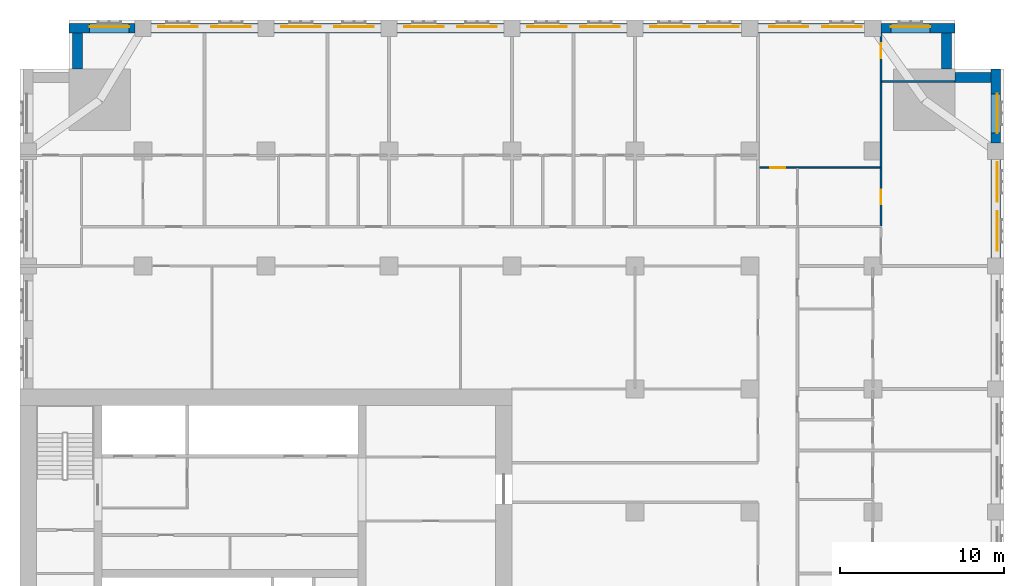
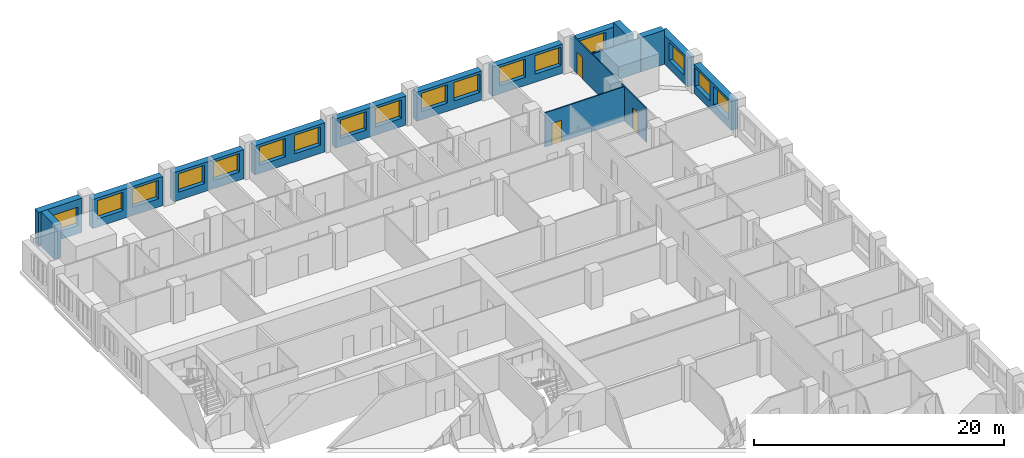
# One storey, part 11 of 14: 17 windows, 16 walls, 3 doors, 20 openings.
"""IFC4 building model written with IfcOpenShell, lengths in metres."""

from ifc_helpers import new_model, si_unit, direction, frame, frame_2d, origin, place, context, subcontext, project, spatial, rectangle, extrude, material, layer, layer_set, type_object, element, fill, save


model = new_model("IFC4")

# Units and contexts
model_context = context("Model", 3, precision=1e-05, world=origin(), true_north=direction((0.0, 1.0)))
body_context = subcontext(model_context, "Body", "Model", "MODEL_VIEW")
ifc_project = project(units=[si_unit("LENGTHUNIT", "METRE"), si_unit("AREAUNIT", "SQUARE_METRE"), si_unit("VOLUMEUNIT", "CUBIC_METRE"), si_unit("PLANEANGLEUNIT", "RADIAN"), si_unit("MASSUNIT", "GRAM", prefix="KILO")], contexts=[model_context])

# Site, building, storey
site_placement = place(None, origin())
site = spatial("IfcSite", under=ifc_project, at=site_placement, CompositionType="ELEMENT")
building_placement = place(site_placement, origin())
building = spatial("IfcBuilding", under=site, at=building_placement, Name="Tamorin Gate", CompositionType="ELEMENT")
storey_placement = place(building_placement, frame((0.0, 0.0, 93.5)))
storey = spatial("IfcBuildingStorey", under=building, at=storey_placement, Name="L22", CompositionType="ELEMENT", Elevation=93.5)

# Wall, openings, windows
ifc_material_1 = material(Name="Precast concrete C40/50", Category="concrete")
ifc_layer_1 = layer(ifc_material_1, 0.60009765625)
ifc_layer_set_1 = layer_set([ifc_layer_1], Name="Precast concrete C40/50")
wall_type_1 = type_object("IfcWallType", Name="Board-marked concrete facade panel 600", PredefinedType="SOLIDWALL", material=ifc_layer_set_1)
wall_1_placement = place(storey_placement, frame((89.5, 90.5, 0.0), z_axis=(0.0, 0.0, 1.0), x_axis=(0.0, 1.0, 0.0)))
wall_1 = element("IfcWall", 1, at=wall_1_placement, inside=storey, type_object=wall_type_1, Name="Facade panel", PredefinedType="SOLIDWALL", context=body_context, shape_type="SweptSolid", body=[
    extrude(rectangle(XDim=6.0, YDim=0.60009765625, at=frame_2d((3.0, 0.0))), origin(), (0.0, 0.0, 1.0), 2.85009765625),
])
opening_1_placement = place(wall_1_placement, frame((0.425048828125, 0.0, 0.800048828125)))
opening_1 = element("IfcOpeningElement", 2, at=opening_1_placement, cuts=wall_1, Name="Opening WN1", PredefinedType="OPENING", context=body_context, shape_type="SweptSolid", body=[
    extrude(rectangle(XDim=2.39990234375, YDim=1.800048828125, at=frame_2d((1.199951171875, 0.89990234375))), frame((0.0, 0.31005859375, 0.0), z_axis=(0.0, -1.0, 0.0), x_axis=(1.0, 0.0, 0.0)), (0.0, 0.0, 1.0), 0.6201171875),
])
opening_2_placement = place(wall_1_placement, frame((3.425048828125, 0.0, 0.800048828125)))
opening_2 = element("IfcOpeningElement", 3, at=opening_2_placement, cuts=wall_1, Name="Opening WN1", PredefinedType="OPENING", context=body_context, shape_type="SweptSolid", body=[
    extrude(rectangle(XDim=2.39990234375, YDim=1.800048828125, at=frame_2d((1.199951171875, 0.89990234375))), frame((0.0, 0.31005859375, 0.0), z_axis=(0.0, -1.0, 0.0), x_axis=(1.0, 0.0, 0.0)), (0.0, 0.0, 1.0), 0.6201171875),
])
ifc_material_2 = material(Name="Clear glass in aluminium frame", Category="aluminium")
window_type = type_object("IfcWindowType", Name="Deep-set window 2400x1800", PartitioningType="SINGLE_PANEL", PredefinedType="WINDOW", material=ifc_material_2)
window_1_placement = place(opening_1_placement, origin())
window_1 = element("IfcWindow", 4, at=window_1_placement, inside=storey, type_object=window_type, Name="Deep-set window", OverallHeight=1.800048828125, OverallWidth=2.39990234375, PartitioningType="SINGLE_PANEL", PredefinedType="WINDOW", context=body_context, shape_type="SweptSolid", body=[
    extrude(rectangle(XDim=2.39990234375, YDim=1.800048828125, at=frame_2d((1.199951171875, 0.89990234375))), frame((0.0, -0.070068359375, 0.0), z_axis=(0.0, -1.0, 0.0), x_axis=(1.0, 0.0, 0.0)), (0.0, 0.0, 1.0), 0.06005859375),
])
fill(opening_1, window_1)
window_2_placement = place(opening_2_placement, origin())
window_2 = element("IfcWindow", 5, at=window_2_placement, inside=storey, type_object=window_type, Name="Deep-set window", OverallHeight=1.800048828125, OverallWidth=2.39990234375, PartitioningType="SINGLE_PANEL", PredefinedType="WINDOW", context=body_context, shape_type="SweptSolid", body=[
    extrude(rectangle(XDim=2.39990234375, YDim=1.800048828125, at=frame_2d((1.199951171875, 0.89990234375))), frame((0.0, -0.070068359375, 0.0), z_axis=(0.0, -1.0, 0.0), x_axis=(1.0, 0.0, 0.0)), (0.0, 0.0, 1.0), 0.06005859375),
])
fill(opening_2, window_2)

# Wall, opening, window
wall_2_placement = place(storey_placement, frame((89.5, 97.5, 0.0), z_axis=(0.0, 0.0, 1.0), x_axis=(0.0, 1.0, 0.0)))
wall_2 = element("IfcWall", 6, at=wall_2_placement, inside=storey, type_object=wall_type_1, Name="Facade panel", PredefinedType="SOLIDWALL", context=body_context, shape_type="SweptSolid", body=[
    extrude(rectangle(XDim=4.5, YDim=0.60009765625, at=frame_2d((2.25, 0.0))), origin(), (0.0, 0.0, 1.0), 2.85009765625),
])
opening_3_placement = place(wall_2_placement, frame((0.60009765625, 0.0, 0.800048828125)))
opening_3 = element("IfcOpeningElement", 7, at=opening_3_placement, cuts=wall_2, Name="Opening WN1", PredefinedType="OPENING", context=body_context, shape_type="SweptSolid", body=[
    extrude(rectangle(XDim=2.39990234375, YDim=1.800048828125, at=frame_2d((1.199951171875, 0.89990234375))), frame((0.0, 0.31005859375, 0.0), z_axis=(0.0, -1.0, 0.0), x_axis=(1.0, 0.0, 0.0)), (0.0, 0.0, 1.0), 0.6201171875),
])
window_3_placement = place(opening_3_placement, origin())
window_3 = element("IfcWindow", 8, at=window_3_placement, inside=storey, type_object=window_type, Name="Deep-set window", OverallHeight=1.800048828125, OverallWidth=2.39990234375, PartitioningType="SINGLE_PANEL", PredefinedType="WINDOW", context=body_context, shape_type="SweptSolid", body=[
    extrude(rectangle(XDim=2.39990234375, YDim=1.800048828125, at=frame_2d((1.199951171875, 0.89990234375))), frame((0.0, -0.070068359375, 0.0), z_axis=(0.0, -1.0, 0.0), x_axis=(1.0, 0.0, 0.0)), (0.0, 0.0, 1.0), 0.06005859375),
])
fill(opening_3, window_3)

# Walls
for number, where, z_axis, x_axis, name in (
    (9, (89.199951171875, 101.5, 0.0), (0.0, 0.0, 1.0), (-1.0, 0.0, 0.0), "Facade panel"),
    (10, (86.5, 102.0, 0.0), (0.0, 0.0, 1.0), (0.0, 1.0, 0.0), "Facade panel"),
):
    element("IfcWall", number, at=place(storey_placement, frame(where, z_axis=z_axis, x_axis=x_axis)), inside=storey, type_object=wall_type_1, Name=name, PredefinedType="SOLIDWALL", context=body_context, shape_type="SweptSolid", body=[
        extrude(rectangle(XDim=2.199951171875, YDim=0.60009765625, at=frame_2d((1.10009765625, 0.0))), origin(), (0.0, 0.0, 1.0), 3.35009765625),
    ])

# Wall, opening, window
wall_3_placement = place(storey_placement, frame((87.0, 104.5, 0.0), z_axis=(0.0, 0.0, 1.0), x_axis=(-1.0, 0.0, 0.0)))
wall_3 = element("IfcWall", 11, at=wall_3_placement, inside=storey, type_object=wall_type_1, Name="Facade panel", PredefinedType="SOLIDWALL", context=body_context, shape_type="SweptSolid", body=[
    extrude(rectangle(XDim=4.5, YDim=0.60009765625, at=frame_2d((2.25, 0.0))), origin(), (0.0, 0.0, 1.0), 2.85009765625),
])
opening_4_placement = place(wall_3_placement, frame((1.5, 0.0, 0.800048828125)))
opening_4 = element("IfcOpeningElement", 12, at=opening_4_placement, cuts=wall_3, Name="Opening WN1", PredefinedType="OPENING", context=body_context, shape_type="SweptSolid", body=[
    extrude(rectangle(XDim=2.39990234375, YDim=1.800048828125, at=frame_2d((1.199951171875, 0.89990234375))), frame((0.0, 0.31005859375, 0.0), z_axis=(0.0, -1.0, 0.0), x_axis=(1.0, 0.0, 0.0)), (0.0, 0.0, 1.0), 0.6201171875),
])
window_4_placement = place(opening_4_placement, origin())
window_4 = element("IfcWindow", 13, at=window_4_placement, inside=storey, type_object=window_type, Name="Deep-set window", OverallHeight=1.800048828125, OverallWidth=2.39990234375, PartitioningType="SINGLE_PANEL", PredefinedType="WINDOW", context=body_context, shape_type="SweptSolid", body=[
    extrude(rectangle(XDim=2.39990234375, YDim=1.800048828125, at=frame_2d((1.199951171875, 0.89990234375))), frame((0.0, -0.070068359375, 0.0), z_axis=(0.0, -1.0, 0.0), x_axis=(1.0, 0.0, 0.0)), (0.0, 0.0, 1.0), 0.06005859375),
])
fill(opening_4, window_4)

# Wall, openings, windows
wall_4_placement = place(storey_placement, frame((81.5, 104.5, 0.0), z_axis=(0.0, 0.0, 1.0), x_axis=(-1.0, 0.0, 0.0)))
wall_4 = element("IfcWall", 14, at=wall_4_placement, inside=storey, type_object=wall_type_1, Name="Facade panel", PredefinedType="SOLIDWALL", context=body_context, shape_type="SweptSolid", body=[
    extrude(rectangle(XDim=6.5, YDim=0.60009765625, at=frame_2d((3.25, 0.0))), origin(), (0.0, 0.0, 1.0), 2.85009765625),
])
opening_5_placement = place(wall_4_placement, frame((3.425048828125, 0.0, 0.800048828125)))
opening_5 = element("IfcOpeningElement", 15, at=opening_5_placement, cuts=wall_4, Name="Opening WN1", PredefinedType="OPENING", context=body_context, shape_type="SweptSolid", body=[
    extrude(rectangle(XDim=2.39990234375, YDim=1.800048828125, at=frame_2d((1.199951171875, 0.89990234375))), frame((0.0, 0.31005859375, 0.0), z_axis=(0.0, -1.0, 0.0), x_axis=(1.0, 0.0, 0.0)), (0.0, 0.0, 1.0), 0.6201171875),
])
opening_6_placement = place(wall_4_placement, frame((0.175048828125, 0.0, 0.800048828125)))
opening_6 = element("IfcOpeningElement", 16, at=opening_6_placement, cuts=wall_4, Name="Opening WN1", PredefinedType="OPENING", context=body_context, shape_type="SweptSolid", body=[
    extrude(rectangle(XDim=2.39990234375, YDim=1.800048828125, at=frame_2d((1.199951171875, 0.89990234375))), frame((0.0, 0.31005859375, 0.0), z_axis=(0.0, -1.0, 0.0), x_axis=(1.0, 0.0, 0.0)), (0.0, 0.0, 1.0), 0.6201171875),
])
window_5_placement = place(opening_5_placement, origin())
window_5 = element("IfcWindow", 17, at=window_5_placement, inside=storey, type_object=window_type, Name="Deep-set window", OverallHeight=1.800048828125, OverallWidth=2.39990234375, PartitioningType="SINGLE_PANEL", PredefinedType="WINDOW", context=body_context, shape_type="SweptSolid", body=[
    extrude(rectangle(XDim=2.39990234375, YDim=1.800048828125, at=frame_2d((1.199951171875, 0.89990234375))), frame((0.0, -0.070068359375, 0.0), z_axis=(0.0, -1.0, 0.0), x_axis=(1.0, 0.0, 0.0)), (0.0, 0.0, 1.0), 0.06005859375),
])
fill(opening_5, window_5)
window_6_placement = place(opening_6_placement, origin())
window_6 = element("IfcWindow", 18, at=window_6_placement, inside=storey, type_object=window_type, Name="Deep-set window", OverallHeight=1.800048828125, OverallWidth=2.39990234375, PartitioningType="SINGLE_PANEL", PredefinedType="WINDOW", context=body_context, shape_type="SweptSolid", body=[
    extrude(rectangle(XDim=2.39990234375, YDim=1.800048828125, at=frame_2d((1.199951171875, 0.89990234375))), frame((0.0, -0.070068359375, 0.0), z_axis=(0.0, -1.0, 0.0), x_axis=(1.0, 0.0, 0.0)), (0.0, 0.0, 1.0), 0.06005859375),
])
fill(opening_6, window_6)

wall_5_placement = place(storey_placement, frame((74.0, 104.5, 0.0), z_axis=(0.0, 0.0, 1.0), x_axis=(-1.0, 0.0, 0.0)))
wall_5 = element("IfcWall", 19, at=wall_5_placement, inside=storey, type_object=wall_type_1, Name="Facade panel", PredefinedType="SOLIDWALL", context=body_context, shape_type="SweptSolid", body=[
    extrude(rectangle(XDim=6.0, YDim=0.60009765625, at=frame_2d((3.0, 0.0))), origin(), (0.0, 0.0, 1.0), 2.85009765625),
])
opening_7_placement = place(wall_5_placement, frame((3.175048828125, 0.0, 0.800048828125)))
opening_7 = element("IfcOpeningElement", 20, at=opening_7_placement, cuts=wall_5, Name="Opening WN1", PredefinedType="OPENING", context=body_context, shape_type="SweptSolid", body=[
    extrude(rectangle(XDim=2.39990234375, YDim=1.800048828125, at=frame_2d((1.199951171875, 0.89990234375))), frame((0.0, 0.31005859375, 0.0), z_axis=(0.0, -1.0, 0.0), x_axis=(1.0, 0.0, 0.0)), (0.0, 0.0, 1.0), 0.6201171875),
])
opening_8_placement = place(wall_5_placement, frame((0.175048828125, 0.0, 0.800048828125)))
opening_8 = element("IfcOpeningElement", 21, at=opening_8_placement, cuts=wall_5, Name="Opening WN1", PredefinedType="OPENING", context=body_context, shape_type="SweptSolid", body=[
    extrude(rectangle(XDim=2.39990234375, YDim=1.800048828125, at=frame_2d((1.199951171875, 0.89990234375))), frame((0.0, 0.31005859375, 0.0), z_axis=(0.0, -1.0, 0.0), x_axis=(1.0, 0.0, 0.0)), (0.0, 0.0, 1.0), 0.6201171875),
])
window_7_placement = place(opening_7_placement, origin())
window_7 = element("IfcWindow", 22, at=window_7_placement, inside=storey, type_object=window_type, Name="Deep-set window", OverallHeight=1.800048828125, OverallWidth=2.39990234375, PartitioningType="SINGLE_PANEL", PredefinedType="WINDOW", context=body_context, shape_type="SweptSolid", body=[
    extrude(rectangle(XDim=2.39990234375, YDim=1.800048828125, at=frame_2d((1.199951171875, 0.89990234375))), frame((0.0, -0.070068359375, 0.0), z_axis=(0.0, -1.0, 0.0), x_axis=(1.0, 0.0, 0.0)), (0.0, 0.0, 1.0), 0.06005859375),
])
fill(opening_7, window_7)
window_8_placement = place(opening_8_placement, origin())
window_8 = element("IfcWindow", 23, at=window_8_placement, inside=storey, type_object=window_type, Name="Deep-set window", OverallHeight=1.800048828125, OverallWidth=2.39990234375, PartitioningType="SINGLE_PANEL", PredefinedType="WINDOW", context=body_context, shape_type="SweptSolid", body=[
    extrude(rectangle(XDim=2.39990234375, YDim=1.800048828125, at=frame_2d((1.199951171875, 0.89990234375))), frame((0.0, -0.070068359375, 0.0), z_axis=(0.0, -1.0, 0.0), x_axis=(1.0, 0.0, 0.0)), (0.0, 0.0, 1.0), 0.06005859375),
])
fill(opening_8, window_8)

wall_6_placement = place(storey_placement, frame((67.0, 104.5, 0.0), z_axis=(0.0, 0.0, 1.0), x_axis=(-1.0, 0.0, 0.0)))
wall_6 = element("IfcWall", 24, at=wall_6_placement, inside=storey, type_object=wall_type_1, Name="Facade panel", PredefinedType="SOLIDWALL", context=body_context, shape_type="SweptSolid", body=[
    extrude(rectangle(XDim=6.5, YDim=0.60009765625, at=frame_2d((3.25, 0.0))), origin(), (0.0, 0.0, 1.0), 2.85009765625),
])
opening_9_placement = place(wall_6_placement, frame((3.675048828125, 0.0, 0.800048828125)))
opening_9 = element("IfcOpeningElement", 25, at=opening_9_placement, cuts=wall_6, Name="Opening WN1", PredefinedType="OPENING", context=body_context, shape_type="SweptSolid", body=[
    extrude(rectangle(XDim=2.39990234375, YDim=1.800048828125, at=frame_2d((1.199951171875, 0.89990234375))), frame((0.0, 0.31005859375, 0.0), z_axis=(0.0, -1.0, 0.0), x_axis=(1.0, 0.0, 0.0)), (0.0, 0.0, 1.0), 0.6201171875),
])
opening_10_placement = place(wall_6_placement, frame((0.425048828125, 0.0, 0.800048828125)))
opening_10 = element("IfcOpeningElement", 26, at=opening_10_placement, cuts=wall_6, Name="Opening WN1", PredefinedType="OPENING", context=body_context, shape_type="SweptSolid", body=[
    extrude(rectangle(XDim=2.39990234375, YDim=1.800048828125, at=frame_2d((1.199951171875, 0.89990234375))), frame((0.0, 0.31005859375, 0.0), z_axis=(0.0, -1.0, 0.0), x_axis=(1.0, 0.0, 0.0)), (0.0, 0.0, 1.0), 0.6201171875),
])
window_9_placement = place(opening_9_placement, origin())
window_9 = element("IfcWindow", 27, at=window_9_placement, inside=storey, type_object=window_type, Name="Deep-set window", OverallHeight=1.800048828125, OverallWidth=2.39990234375, PartitioningType="SINGLE_PANEL", PredefinedType="WINDOW", context=body_context, shape_type="SweptSolid", body=[
    extrude(rectangle(XDim=2.39990234375, YDim=1.800048828125, at=frame_2d((1.199951171875, 0.89990234375))), frame((0.0, -0.070068359375, 0.0), z_axis=(0.0, -1.0, 0.0), x_axis=(1.0, 0.0, 0.0)), (0.0, 0.0, 1.0), 0.06005859375),
])
fill(opening_9, window_9)
window_10_placement = place(opening_10_placement, origin())
window_10 = element("IfcWindow", 28, at=window_10_placement, inside=storey, type_object=window_type, Name="Deep-set window", OverallHeight=1.800048828125, OverallWidth=2.39990234375, PartitioningType="SINGLE_PANEL", PredefinedType="WINDOW", context=body_context, shape_type="SweptSolid", body=[
    extrude(rectangle(XDim=2.39990234375, YDim=1.800048828125, at=frame_2d((1.199951171875, 0.89990234375))), frame((0.0, -0.070068359375, 0.0), z_axis=(0.0, -1.0, 0.0), x_axis=(1.0, 0.0, 0.0)), (0.0, 0.0, 1.0), 0.06005859375),
])
fill(opening_10, window_10)

wall_7_placement = place(storey_placement, frame((59.5, 104.5, 0.0), z_axis=(0.0, 0.0, 1.0), x_axis=(-1.0, 0.0, 0.0)))
wall_7 = element("IfcWall", 29, at=wall_7_placement, inside=storey, type_object=wall_type_1, Name="Facade panel", PredefinedType="SOLIDWALL", context=body_context, shape_type="SweptSolid", body=[
    extrude(rectangle(XDim=6.5, YDim=0.60009765625, at=frame_2d((3.25, 0.0))), origin(), (0.0, 0.0, 1.0), 2.85009765625),
])
opening_11_placement = place(wall_7_placement, frame((3.675048828125, 0.0, 0.800048828125)))
opening_11 = element("IfcOpeningElement", 30, at=opening_11_placement, cuts=wall_7, Name="Opening WN1", PredefinedType="OPENING", context=body_context, shape_type="SweptSolid", body=[
    extrude(rectangle(XDim=2.39990234375, YDim=1.800048828125, at=frame_2d((1.199951171875, 0.89990234375))), frame((0.0, 0.31005859375, 0.0), z_axis=(0.0, -1.0, 0.0), x_axis=(1.0, 0.0, 0.0)), (0.0, 0.0, 1.0), 0.6201171875),
])
opening_12_placement = place(wall_7_placement, frame((0.425048828125, 0.0, 0.800048828125)))
opening_12 = element("IfcOpeningElement", 31, at=opening_12_placement, cuts=wall_7, Name="Opening WN1", PredefinedType="OPENING", context=body_context, shape_type="SweptSolid", body=[
    extrude(rectangle(XDim=2.39990234375, YDim=1.800048828125, at=frame_2d((1.199951171875, 0.89990234375))), frame((0.0, 0.31005859375, 0.0), z_axis=(0.0, -1.0, 0.0), x_axis=(1.0, 0.0, 0.0)), (0.0, 0.0, 1.0), 0.6201171875),
])
window_11_placement = place(opening_11_placement, origin())
window_11 = element("IfcWindow", 32, at=window_11_placement, inside=storey, type_object=window_type, Name="Deep-set window", OverallHeight=1.800048828125, OverallWidth=2.39990234375, PartitioningType="SINGLE_PANEL", PredefinedType="WINDOW", context=body_context, shape_type="SweptSolid", body=[
    extrude(rectangle(XDim=2.39990234375, YDim=1.800048828125, at=frame_2d((1.199951171875, 0.89990234375))), frame((0.0, -0.070068359375, 0.0), z_axis=(0.0, -1.0, 0.0), x_axis=(1.0, 0.0, 0.0)), (0.0, 0.0, 1.0), 0.06005859375),
])
fill(opening_11, window_11)
window_12_placement = place(opening_12_placement, origin())
window_12 = element("IfcWindow", 33, at=window_12_placement, inside=storey, type_object=window_type, Name="Deep-set window", OverallHeight=1.800048828125, OverallWidth=2.39990234375, PartitioningType="SINGLE_PANEL", PredefinedType="WINDOW", context=body_context, shape_type="SweptSolid", body=[
    extrude(rectangle(XDim=2.39990234375, YDim=1.800048828125, at=frame_2d((1.199951171875, 0.89990234375))), frame((0.0, -0.070068359375, 0.0), z_axis=(0.0, -1.0, 0.0), x_axis=(1.0, 0.0, 0.0)), (0.0, 0.0, 1.0), 0.06005859375),
])
fill(opening_12, window_12)

wall_8_placement = place(storey_placement, frame((52.0, 104.5, 0.0), z_axis=(0.0, 0.0, 1.0), x_axis=(-1.0, 0.0, 0.0)))
wall_8 = element("IfcWall", 34, at=wall_8_placement, inside=storey, type_object=wall_type_1, Name="Facade panel", PredefinedType="SOLIDWALL", context=body_context, shape_type="SweptSolid", body=[
    extrude(rectangle(XDim=6.5, YDim=0.60009765625, at=frame_2d((3.25, 0.0))), origin(), (0.0, 0.0, 1.0), 2.85009765625),
])
opening_13_placement = place(wall_8_placement, frame((3.675048828125, 0.0, 0.800048828125)))
opening_13 = element("IfcOpeningElement", 35, at=opening_13_placement, cuts=wall_8, Name="Opening WN1", PredefinedType="OPENING", context=body_context, shape_type="SweptSolid", body=[
    extrude(rectangle(XDim=2.39990234375, YDim=1.800048828125, at=frame_2d((1.199951171875, 0.89990234375))), frame((0.0, 0.31005859375, 0.0), z_axis=(0.0, -1.0, 0.0), x_axis=(1.0, 0.0, 0.0)), (0.0, 0.0, 1.0), 0.6201171875),
])
opening_14_placement = place(wall_8_placement, frame((0.425048828125, 0.0, 0.800048828125)))
opening_14 = element("IfcOpeningElement", 36, at=opening_14_placement, cuts=wall_8, Name="Opening WN1", PredefinedType="OPENING", context=body_context, shape_type="SweptSolid", body=[
    extrude(rectangle(XDim=2.39990234375, YDim=1.800048828125, at=frame_2d((1.199951171875, 0.89990234375))), frame((0.0, 0.31005859375, 0.0), z_axis=(0.0, -1.0, 0.0), x_axis=(1.0, 0.0, 0.0)), (0.0, 0.0, 1.0), 0.6201171875),
])
window_13_placement = place(opening_13_placement, origin())
window_13 = element("IfcWindow", 37, at=window_13_placement, inside=storey, type_object=window_type, Name="Deep-set window", OverallHeight=1.800048828125, OverallWidth=2.39990234375, PartitioningType="SINGLE_PANEL", PredefinedType="WINDOW", context=body_context, shape_type="SweptSolid", body=[
    extrude(rectangle(XDim=2.39990234375, YDim=1.800048828125, at=frame_2d((1.199951171875, 0.89990234375))), frame((0.0, -0.070068359375, 0.0), z_axis=(0.0, -1.0, 0.0), x_axis=(1.0, 0.0, 0.0)), (0.0, 0.0, 1.0), 0.06005859375),
])
fill(opening_13, window_13)
window_14_placement = place(opening_14_placement, origin())
window_14 = element("IfcWindow", 38, at=window_14_placement, inside=storey, type_object=window_type, Name="Deep-set window", OverallHeight=1.800048828125, OverallWidth=2.39990234375, PartitioningType="SINGLE_PANEL", PredefinedType="WINDOW", context=body_context, shape_type="SweptSolid", body=[
    extrude(rectangle(XDim=2.39990234375, YDim=1.800048828125, at=frame_2d((1.199951171875, 0.89990234375))), frame((0.0, -0.070068359375, 0.0), z_axis=(0.0, -1.0, 0.0), x_axis=(1.0, 0.0, 0.0)), (0.0, 0.0, 1.0), 0.06005859375),
])
fill(opening_14, window_14)

wall_9_placement = place(storey_placement, frame((44.5, 104.5, 0.0), z_axis=(0.0, 0.0, 1.0), x_axis=(-1.0, 0.0, 0.0)))
wall_9 = element("IfcWall", 39, at=wall_9_placement, inside=storey, type_object=wall_type_1, Name="Facade panel", PredefinedType="SOLIDWALL", context=body_context, shape_type="SweptSolid", body=[
    extrude(rectangle(XDim=6.5, YDim=0.60009765625, at=frame_2d((3.25, 0.0))), origin(), (0.0, 0.0, 1.0), 2.85009765625),
])
opening_15_placement = place(wall_9_placement, frame((3.675048828125, 0.0, 0.800048828125)))
opening_15 = element("IfcOpeningElement", 40, at=opening_15_placement, cuts=wall_9, Name="Opening WN1", PredefinedType="OPENING", context=body_context, shape_type="SweptSolid", body=[
    extrude(rectangle(XDim=2.39990234375, YDim=1.800048828125, at=frame_2d((1.199951171875, 0.89990234375))), frame((0.0, 0.31005859375, 0.0), z_axis=(0.0, -1.0, 0.0), x_axis=(1.0, 0.0, 0.0)), (0.0, 0.0, 1.0), 0.6201171875),
])
opening_16_placement = place(wall_9_placement, frame((0.425048828125, 0.0, 0.800048828125)))
opening_16 = element("IfcOpeningElement", 41, at=opening_16_placement, cuts=wall_9, Name="Opening WN1", PredefinedType="OPENING", context=body_context, shape_type="SweptSolid", body=[
    extrude(rectangle(XDim=2.39990234375, YDim=1.800048828125, at=frame_2d((1.199951171875, 0.89990234375))), frame((0.0, 0.31005859375, 0.0), z_axis=(0.0, -1.0, 0.0), x_axis=(1.0, 0.0, 0.0)), (0.0, 0.0, 1.0), 0.6201171875),
])
window_15_placement = place(opening_15_placement, origin())
window_15 = element("IfcWindow", 42, at=window_15_placement, inside=storey, type_object=window_type, Name="Deep-set window", OverallHeight=1.800048828125, OverallWidth=2.39990234375, PartitioningType="SINGLE_PANEL", PredefinedType="WINDOW", context=body_context, shape_type="SweptSolid", body=[
    extrude(rectangle(XDim=2.39990234375, YDim=1.800048828125, at=frame_2d((1.199951171875, 0.89990234375))), frame((0.0, -0.070068359375, 0.0), z_axis=(0.0, -1.0, 0.0), x_axis=(1.0, 0.0, 0.0)), (0.0, 0.0, 1.0), 0.06005859375),
])
fill(opening_15, window_15)
window_16_placement = place(opening_16_placement, origin())
window_16 = element("IfcWindow", 43, at=window_16_placement, inside=storey, type_object=window_type, Name="Deep-set window", OverallHeight=1.800048828125, OverallWidth=2.39990234375, PartitioningType="SINGLE_PANEL", PredefinedType="WINDOW", context=body_context, shape_type="SweptSolid", body=[
    extrude(rectangle(XDim=2.39990234375, YDim=1.800048828125, at=frame_2d((1.199951171875, 0.89990234375))), frame((0.0, -0.070068359375, 0.0), z_axis=(0.0, -1.0, 0.0), x_axis=(1.0, 0.0, 0.0)), (0.0, 0.0, 1.0), 0.06005859375),
])
fill(opening_16, window_16)

# Wall, opening, window
wall_10_placement = place(storey_placement, frame((37.0, 104.5, 0.0), z_axis=(0.0, 0.0, 1.0), x_axis=(-1.0, 0.0, 0.0)))
wall_10 = element("IfcWall", 44, at=wall_10_placement, inside=storey, type_object=wall_type_1, Name="Facade panel", PredefinedType="SOLIDWALL", context=body_context, shape_type="SweptSolid", body=[
    extrude(rectangle(XDim=4.0, YDim=0.60009765625, at=frame_2d((2.0, 0.0))), origin(), (0.0, 0.0, 1.0), 3.35009765625),
])
opening_17_placement = place(wall_10_placement, frame((0.35009765625, 0.0, 0.800048828125)))
opening_17 = element("IfcOpeningElement", 45, at=opening_17_placement, cuts=wall_10, Name="Opening WN1", PredefinedType="OPENING", context=body_context, shape_type="SweptSolid", body=[
    extrude(rectangle(XDim=2.39990234375, YDim=1.800048828125, at=frame_2d((1.199951171875, 0.89990234375))), frame((0.0, 0.31005859375, 0.0), z_axis=(0.0, -1.0, 0.0), x_axis=(1.0, 0.0, 0.0)), (0.0, 0.0, 1.0), 0.6201171875),
])
window_17_placement = place(opening_17_placement, origin())
window_17 = element("IfcWindow", 46, at=window_17_placement, inside=storey, type_object=window_type, Name="Deep-set window", OverallHeight=1.800048828125, OverallWidth=2.39990234375, PartitioningType="SINGLE_PANEL", PredefinedType="WINDOW", context=body_context, shape_type="SweptSolid", body=[
    extrude(rectangle(XDim=2.39990234375, YDim=1.800048828125, at=frame_2d((1.199951171875, 0.89990234375))), frame((0.0, -0.070068359375, 0.0), z_axis=(0.0, -1.0, 0.0), x_axis=(1.0, 0.0, 0.0)), (0.0, 0.0, 1.0), 0.06005859375),
])
fill(opening_17, window_17)

# Wall
wall_11_placement = place(storey_placement, frame((33.5, 104.199951171875, 0.0), z_axis=(0.0, 0.0, 1.0), x_axis=(0.0, -1.0, 0.0)))
element("IfcWall", 47, at=wall_11_placement, inside=storey, type_object=wall_type_1, Name="Facade panel", PredefinedType="SOLIDWALL", context=body_context, shape_type="SweptSolid", body=[
    extrude(rectangle(XDim=2.199951171875, YDim=0.60009765625, at=frame_2d((1.10009765625, 0.0))), origin(), (0.0, 0.0, 1.0), 3.35009765625),
])

# Wall, opening, door
ifc_material_3 = material(Name="Gypsum board partition")
ifc_layer_2 = layer(ifc_material_3, 0.10009765625)
ifc_layer_set_2 = layer_set([ifc_layer_2], Name="Room partition 100")
wall_type_2 = type_object("IfcWallType", Name="Room partition 100", PredefinedType="PARTITIONING", material=ifc_layer_set_2)
wall_12_placement = place(storey_placement, frame((75.10009765625, 96.0, 0.0), z_axis=(0.0, 0.0, 1.0), x_axis=(1.0, 0.0, 0.0)))
wall_12 = element("IfcWall", 48, at=wall_12_placement, inside=storey, type_object=wall_type_2, Name="Room partition 100", PredefinedType="PARTITIONING", context=body_context, shape_type="SweptSolid", body=[
    extrude(rectangle(XDim=7.349853515625, YDim=0.10009765625, at=frame_2d((3.6748046875, 0.0))), origin(), (0.0, 0.0, 1.0), 3.35009765625),
])
opening_18_placement = place(wall_12_placement, frame((0.64990234375, 0.0, 0.0)))
opening_18 = element("IfcOpeningElement", 49, at=opening_18_placement, cuts=wall_12, Name="Opening DH5067", PredefinedType="OPENING", context=body_context, shape_type="SweptSolid", body=[
    extrude(rectangle(XDim=0.89990234375, YDim=2.10009765625, at=frame_2d((0.449951171875, 1.050048828125))), frame((0.0, 0.06005859375, 0.0), z_axis=(0.0, -1.0, 0.0), x_axis=(1.0, 0.0, 0.0)), (0.0, 0.0, 1.0), 0.1201171875),
])
ifc_material_4 = material(Name="Timber door leaf", Category="wood")
door_type = type_object("IfcDoorType", Name="Door 900 x 2100", OperationType="NOTDEFINED", PredefinedType="DOOR", material=ifc_material_4)
door_1_placement = place(opening_18_placement, origin())
door_1 = element("IfcDoor", 50, at=door_1_placement, inside=storey, type_object=door_type, Name="Door DH5067", OperationType="SINGLE_SWING_LEFT", OverallHeight=2.10009765625, OverallWidth=0.89990234375, PredefinedType="DOOR", context=body_context, shape_type="SweptSolid", body=[
    extrude(rectangle(XDim=0.89990234375, YDim=2.10009765625, at=frame_2d((0.449951171875, 1.050048828125))), frame((0.0, 0.02490234375, 0.0), z_axis=(0.0, -1.0, 0.0), x_axis=(1.0, 0.0, 0.0)), (0.0, 0.0, 1.0), 0.050048828125),
])
fill(opening_18, door_1)

# Wall
wall_13_placement = place(storey_placement, frame((82.550048828125, 101.25, 0.0), z_axis=(0.0, 0.0, 1.0), x_axis=(1.0, 0.0, 0.0)))
element("IfcWall", 51, at=wall_13_placement, inside=storey, type_object=wall_type_2, Name="Room partition 100", PredefinedType="PARTITIONING", context=body_context, shape_type="SweptSolid", body=[
    extrude(rectangle(XDim=4.43994140625, YDim=0.10009765625, at=frame_2d((2.219970703125, 0.0))), origin(), (0.0, 0.0, 1.0), 3.35009765625),
])

# Wall, openings, doors
wall_14_placement = place(storey_placement, frame((82.5, 92.46240234375, 0.0), z_axis=(0.0, 0.0, 1.0), x_axis=(0.0, 1.0, 0.0)))
wall_14 = element("IfcWall", 52, at=wall_14_placement, inside=storey, type_object=wall_type_2, Name="Room partition 100", PredefinedType="PARTITIONING", context=body_context, shape_type="SweptSolid", body=[
    extrude(rectangle(XDim=11.7275390625, YDim=0.10009765625, at=frame_2d((5.86376953125, 0.0))), origin(), (0.0, 0.0, 1.0), 3.35009765625),
])
opening_19_placement = place(wall_14_placement, frame((10.21240234375, 0.0, 0.0)))
opening_19 = element("IfcOpeningElement", 53, at=opening_19_placement, cuts=wall_14, Name="Opening DH5069", PredefinedType="OPENING", context=body_context, shape_type="SweptSolid", body=[
    extrude(rectangle(XDim=0.89990234375, YDim=2.10009765625, at=frame_2d((0.449951171875, 1.050048828125))), frame((0.0, 0.06005859375, 0.0), z_axis=(0.0, -1.0, 0.0), x_axis=(1.0, 0.0, 0.0)), (0.0, 0.0, 1.0), 0.1201171875),
])
opening_20_placement = place(wall_14_placement, frame((1.28759765625, 0.0, 0.0)))
opening_20 = element("IfcOpeningElement", 54, at=opening_20_placement, cuts=wall_14, Name="Opening DH5070", PredefinedType="OPENING", context=body_context, shape_type="SweptSolid", body=[
    extrude(rectangle(XDim=0.89990234375, YDim=2.10009765625, at=frame_2d((0.449951171875, 1.050048828125))), frame((0.0, 0.06005859375, 0.0), z_axis=(0.0, -1.0, 0.0), x_axis=(1.0, 0.0, 0.0)), (0.0, 0.0, 1.0), 0.1201171875),
])
door_2_placement = place(opening_19_placement, origin())
door_2 = element("IfcDoor", 55, at=door_2_placement, inside=storey, type_object=door_type, Name="Door DH5069", OperationType="SINGLE_SWING_LEFT", OverallHeight=2.10009765625, OverallWidth=0.89990234375, PredefinedType="DOOR", context=body_context, shape_type="SweptSolid", body=[
    extrude(rectangle(XDim=0.89990234375, YDim=2.10009765625, at=frame_2d((0.449951171875, 1.050048828125))), frame((0.0, 0.02490234375, 0.0), z_axis=(0.0, -1.0, 0.0), x_axis=(1.0, 0.0, 0.0)), (0.0, 0.0, 1.0), 0.050048828125),
])
fill(opening_19, door_2)
door_3_placement = place(opening_20_placement, origin())
door_3 = element("IfcDoor", 56, at=door_3_placement, inside=storey, type_object=door_type, Name="Door DH5070", OperationType="SINGLE_SWING_RIGHT", OverallHeight=2.10009765625, OverallWidth=0.89990234375, PredefinedType="DOOR", context=body_context, shape_type="SweptSolid", body=[
    extrude(rectangle(XDim=0.89990234375, YDim=2.10009765625, at=frame_2d((0.449951171875, 1.050048828125))), frame((0.0, 0.02490234375, 0.0), z_axis=(0.0, -1.0, 0.0), x_axis=(1.0, 0.0, 0.0)), (0.0, 0.0, 1.0), 0.050048828125),
])
fill(opening_20, door_3)

save(model, "model.ifc")
